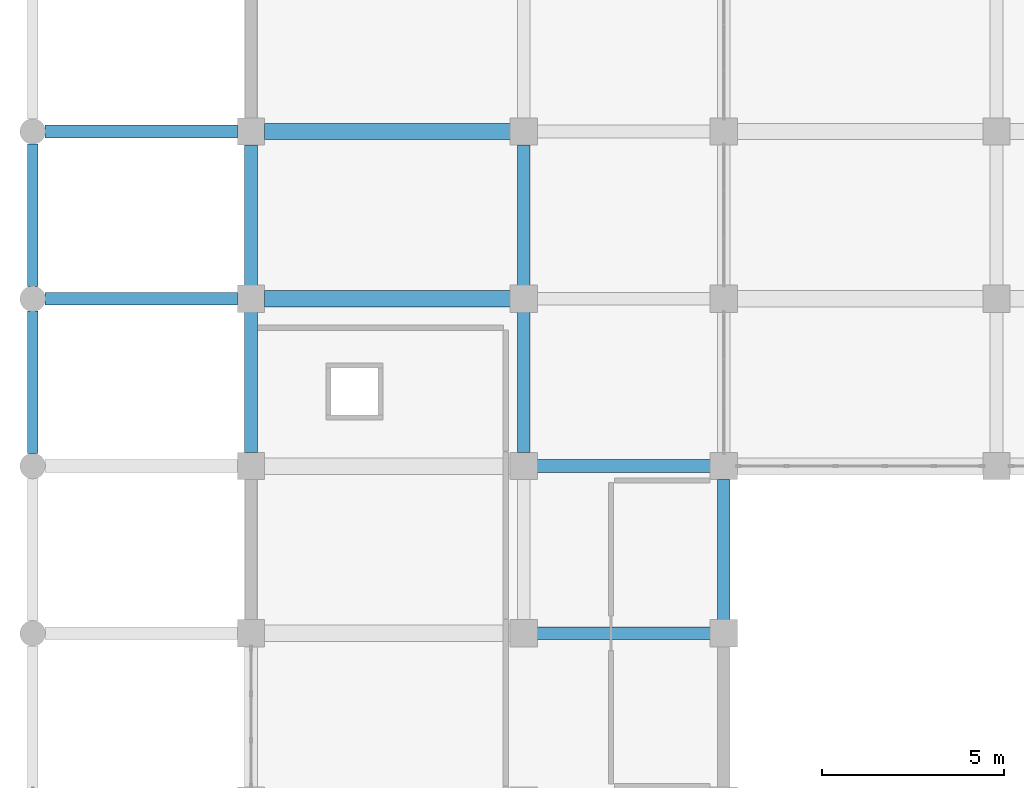
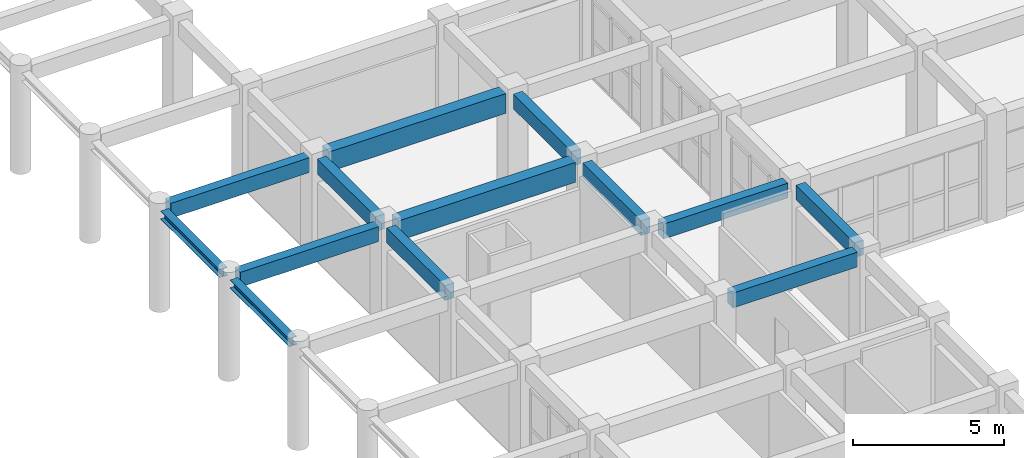
# One storey, part 23 of 116: 13 beams.
"""IFC4 building model written with IfcOpenShell, lengths in metres."""

import ifcopenshell
import ifcopenshell.guid

model = None  # the IFC model being written
_history = None  # IfcOwnerHistory: only IFC2X3 demands one
_inside = {}  # id of a spatial element -> (the spatial element, [elements in it])
_under = {}  # id of a project, library or spatial element -> (it, [spatial elements below it])
_declared = {}  # id of a project -> (the project, [libraries it declares])
_typed = {}  # id of a type object -> (the type object, [elements of that type])
_made_of = {}  # id of a material, layer set ... -> (it, [elements and type objects made of it])


def new_model(schema):
    """Start an empty IFC model of exactly this schema.

    Asked for "IFC4X3", IfcOpenShell would pick the latest addendum, in which some entities
    have other attributes; the version numbers below select the first issue.
    IFC2X3 requires an IfcOwnerHistory on every rooted entity: one is made here for all.
    """
    global model, _history
    if schema == "IFC4X3":
        model = ifcopenshell.file(schema_version=(4, 3, 0, 0))
    else:
        model = ifcopenshell.file(schema=schema)
    _inside.clear()
    _under.clear()
    _declared.clear()
    _typed.clear()
    _made_of.clear()
    _history = None
    if model.schema == "IFC2X3":
        org = make("IfcOrganization", Name="unknown")
        user = make(
            "IfcPersonAndOrganization",
            ThePerson=make("IfcPerson", FamilyName="unknown"),
            TheOrganization=org,
        )
        app = make(
            "IfcApplication",
            ApplicationDeveloper=org,
            Version="unknown",
            ApplicationFullName="unknown",
            ApplicationIdentifier="unknown",
        )
        _history = make(
            "IfcOwnerHistory",
            OwningUser=user,
            OwningApplication=app,
            ChangeAction="ADDED",
            CreationDate=0,
        )
    return model


def make(cls, **values):
    """One entity of the class cls with the attributes given. An attribute that is None is left unset."""
    return model.create_entity(
        cls, **{name: value for name, value in values.items() if value is not None}
    )


def rooted(cls, **values):
    """An entity with a GlobalId (a new one), such as an element, a storey or a relation."""
    return make(cls, GlobalId=ifcopenshell.guid.new(), OwnerHistory=_history, **values)


def si_unit(unit_type, name, prefix=None):
    """IfcSIUnit, for example si_unit("LENGTHUNIT", "METRE", prefix="MILLI")."""
    return make("IfcSIUnit", UnitType=unit_type, Prefix=prefix, Name=name)


def assignment(units):
    """IfcUnitAssignment: the units of a project."""
    return None if units is None else make("IfcUnitAssignment", Units=units)


def point(xyz):
    """IfcCartesianPoint."""
    return None if xyz is None else make("IfcCartesianPoint", Coordinates=xyz)


def direction(xyz):
    """IfcDirection."""
    return None if xyz is None else make("IfcDirection", DirectionRatios=xyz)


def frame(location, z_axis=None, x_axis=None):
    """IfcAxis2Placement3D, a coordinate frame: its origin and axes. An axis left out is left unset."""
    return make(
        "IfcAxis2Placement3D",
        Location=point(location),
        Axis=direction(z_axis),
        RefDirection=direction(x_axis),
    )


def frame_2d(location, x_axis=None):
    """IfcAxis2Placement2D, a coordinate frame in the plane: its origin and x axis."""
    return make(
        "IfcAxis2Placement2D", Location=point(location), RefDirection=direction(x_axis)
    )


def origin():
    """The frame at (0, 0, 0) with its axes left unset."""
    return frame((0.0, 0.0, 0.0))


def origin_2d():
    """The frame at (0, 0) in the plane with its x axis left unset."""
    return frame_2d((0.0, 0.0))


def place(relative_to, where):
    """IfcLocalPlacement: puts the frame where relative to a parent placement (None: the world)."""
    return make(
        "IfcLocalPlacement", PlacementRelTo=relative_to, RelativePlacement=where
    )


def context(
    kind, dimensions, precision=None, world=None, true_north=None, identifier=None
):
    """IfcGeometricRepresentationContext, for example the 3D "Model" context."""
    return make(
        "IfcGeometricRepresentationContext",
        ContextIdentifier=identifier,
        ContextType=kind,
        CoordinateSpaceDimension=dimensions,
        Precision=precision,
        WorldCoordinateSystem=world,
        TrueNorth=true_north,
    )


def subcontext(parent, identifier, kind, view, scale=None):
    """IfcGeometricRepresentationSubContext, for example "Body" below "Model"."""
    return make(
        "IfcGeometricRepresentationSubContext",
        ContextIdentifier=identifier,
        ContextType=kind,
        ParentContext=parent,
        TargetScale=scale,
        TargetView=view,
    )


def project(units=None, contexts=None):
    """IfcProject with its units and contexts."""
    return rooted(
        "IfcProject",
        Name="project",
        RepresentationContexts=contexts,
        UnitsInContext=assignment(units),
    )


def spatial(cls, under=None, at=None, **own):
    """A site, building, storey or space (cls), placed at a placement, below another one or the project."""
    s = rooted(cls, ObjectPlacement=at, **own)
    if under is not None:
        _under.setdefault(under.id(), (under, []))[1].append(s)
    return s


def profile(cls, at=None, kind="AREA", **sizes):
    """A parametric profile (cls). Its sizes go by their IFC names, for example OverallWidth=200.0."""
    return make(cls, ProfileType=kind, Position=at, **sizes)


def rectangle(**sizes):
    """IfcRectangleProfileDef."""
    return profile("IfcRectangleProfileDef", **sizes)


def i_section(**sizes):
    """IfcIShapeProfileDef."""
    return profile("IfcIShapeProfileDef", **sizes)


def extrude(swept, where, along, depth):
    """IfcExtrudedAreaSolid: the profile swept, set in the frame where, extruded along a direction by depth."""
    return make(
        "IfcExtrudedAreaSolid",
        SweptArea=swept,
        Position=where,
        ExtrudedDirection=direction(along),
        Depth=depth,
    )


def shape(context_of_items, identifier, shape_type, items):
    """IfcShapeRepresentation: the items that make up one representation, for example the "Body"."""
    return make(
        "IfcShapeRepresentation",
        ContextOfItems=context_of_items,
        RepresentationIdentifier=identifier,
        RepresentationType=shape_type,
        Items=items,
    )


def material(Name=None, Category=None):
    """IfcMaterial."""
    return make("IfcMaterial", Name=Name, Category=Category)


def material_profile(
    of_material, cross_section, Name=None, Category=None, Priority=None
):
    """IfcMaterialProfile: a cross section and its material."""
    return make(
        "IfcMaterialProfile",
        Name=Name,
        Material=of_material,
        Profile=cross_section,
        Priority=Priority,
        Category=Category,
    )


def profile_set(profiles, Name=None, composite=None):
    """IfcMaterialProfileSet."""
    return make(
        "IfcMaterialProfileSet",
        Name=Name,
        MaterialProfiles=profiles,
        CompositeProfile=composite,
    )


def made_of(thing, what):
    """Note that an element or type object is made of a material, layer set ...; save() writes the relation."""
    if what is not None:
        _made_of.setdefault(what.id(), (what, []))[1].append(thing)
    return thing


def type_object(cls, material=None, **own):
    """A type object (cls), such as IfcWallType, which elements share."""
    return made_of(rooted(cls, **own), material)


def element(
    cls,
    number,
    at=None,
    inside=None,
    cuts=None,
    type_object=None,
    material=None,
    context=None,
    identifier="Body",
    shape_type=None,
    held_by="IfcProductDefinitionShape",
    body=None,
    shapes=None,
    **own,
):
    """One element of the class cls, such as IfcWall. Its Tag is "e" and its number.

    at: its placement. inside: the storey or other place that contains it. cuts: it is an
    opening in that element (IfcRelVoidsElement). A single representation is given by context,
    identifier, shape_type and body (its items); several are given by shapes. held_by: the class
    of the entity that holds the representations. save() writes the other relations.
    """
    e = rooted(cls, Tag="e%d" % number, ObjectPlacement=at, **own)
    if body is not None:
        shapes = [shape(context, identifier, shape_type, body)]
    if shapes is not None:
        e.Representation = make(held_by, Representations=shapes)
    if inside is not None:
        _inside.setdefault(inside.id(), (inside, []))[1].append(e)
    if cuts is not None:
        rooted(
            "IfcRelVoidsElement", RelatingBuildingElement=cuts, RelatedOpeningElement=e
        )
    if type_object is not None:
        _typed.setdefault(type_object.id(), (type_object, []))[1].append(e)
    return made_of(e, material)


def aggregate(whole, parts):
    """IfcRelAggregates: a whole, such as a stair, and the parts it consists of."""
    return rooted("IfcRelAggregates", RelatingObject=whole, RelatedObjects=parts)


def save(model, path):
    """Write the relations noted so far, then the file.

    IfcRelAggregates (storeys below a building ...), IfcRelContainedInSpatialStructure (elements
    in a storey), IfcRelDefinesByType, IfcRelAssociatesMaterial and IfcRelDeclares: one each for
    every whole, place, type object, material and project.
    """
    for whole, parts in _under.values():
        aggregate(whole, parts)
    for where, things in _inside.values():
        rooted(
            "IfcRelContainedInSpatialStructure",
            RelatedElements=things,
            RelatingStructure=where,
        )
    for kind, things in _typed.values():
        rooted("IfcRelDefinesByType", RelatedObjects=things, RelatingType=kind)
    for what, things in _made_of.values():
        rooted("IfcRelAssociatesMaterial", RelatedObjects=things, RelatingMaterial=what)
    for by, libraries in _declared.values():
        rooted("IfcRelDeclares", RelatingContext=by, RelatedDefinitions=libraries)
    model.write(path)


model = new_model("IFC4")

# Units and contexts
model_context = context("Model", 3, precision=1e-05, world=origin(), true_north=direction((0.0, 1.0)))
body_context = subcontext(model_context, "Body", "Model", "MODEL_VIEW")
ifc_project = project(units=[si_unit("LENGTHUNIT", "METRE"), si_unit("AREAUNIT", "SQUARE_METRE"), si_unit("VOLUMEUNIT", "CUBIC_METRE"), si_unit("PLANEANGLEUNIT", "RADIAN"), si_unit("MASSUNIT", "GRAM", prefix="KILO")], contexts=[model_context])

# Site, building, storey
site_placement = place(None, origin())
site = spatial("IfcSite", under=ifc_project, at=site_placement, CompositionType="ELEMENT")
building_placement = place(site_placement, origin())
building = spatial("IfcBuilding", under=site, at=building_placement, Name="Muzn Square Opera House", CompositionType="ELEMENT")
storey_placement = place(building_placement, frame((0.0, 0.0, 5.39990234375)))
storey = spatial("IfcBuildingStorey", under=building, at=storey_placement, Name="L01", CompositionType="ELEMENT", Elevation=5.39990234375)

# Beams
ifc_material_1 = material(Name="Concrete C40/50", Category="concrete")
ifc_material_profile_1 = material_profile(ifc_material_1, rectangle(XDim=0.35009765625, YDim=0.60009765625, at=origin_2d()), Name="RCB 350x600", Category="concrete")
ifc_profile_set_1 = profile_set([ifc_material_profile_1], Name="Concrete C40/50")
beam_type_1 = type_object("IfcBeamType", Name="Primary Girder 350x600", PredefinedType="BEAM", material=ifc_profile_set_1)
for number, where, z_axis, x_axis, name in (
    (1, (13.866943359375, 49.60009765625, 3.85009765625), (1.0, 0.0, 0.0), (0.0, 1.0, 0.0), "Primary Girder BM-L01-BM-PG600-139_496_186_496-1364"),
    (2, (13.866943359375, 54.199951171875, 3.85009765625), (1.0, 0.0, 0.0), (0.0, 1.0, 0.0), "Primary Girder BM-L01-BM-PG600-139_542_186_542-1370"),
):
    element("IfcBeam", number, at=place(storey_placement, frame(where, z_axis=z_axis, x_axis=x_axis)), inside=storey, type_object=beam_type_1, Name=name, PredefinedType="BEAM", context=body_context, shape_type="SweptSolid", body=[
        extrude(rectangle(XDim=0.35009765625, YDim=0.60009765625, at=origin_2d()), origin(), (0.0, 0.0, 1.0), 4.76611328125),
    ])
for number, where, z_axis, x_axis, name in (
    (3, (0.342041015625, 58.800048828125, 3.85009765625), (1.0, 0.0, 0.0), (0.0, 1.0, 0.0), "Primary Girder BM-L01-BM-PG600-3_588_56_588-1380"),
    (4, (0.342041015625, 63.39990234375, 3.85009765625), (1.0, 0.0, 0.0), (0.0, 1.0, 0.0), "Primary Girder BM-L01-BM-PG600-3_634_56_634-1394"),
):
    element("IfcBeam", number, at=place(storey_placement, frame(where, z_axis=z_axis, x_axis=x_axis)), inside=storey, type_object=beam_type_1, Name=name, PredefinedType="BEAM", context=body_context, shape_type="SweptSolid", body=[
        extrude(rectangle(XDim=0.35009765625, YDim=0.60009765625, at=origin_2d()), origin(), (0.0, 0.0, 1.0), 5.291015625),
    ])
beam_1_placement = place(storey_placement, frame((6.0, 54.56689453125, 3.85009765625), z_axis=(0.0, 1.0, 0.0), x_axis=(-1.0, 0.0, 0.0)))
element("IfcBeam", 5, at=beam_1_placement, inside=storey, type_object=beam_type_1, Name="Primary Girder BM-L01-BM-PG600-60_546_60_584-1535", PredefinedType="BEAM", context=body_context, shape_type="SweptSolid", body=[
    extrude(rectangle(XDim=0.35009765625, YDim=0.60009765625, at=origin_2d()), origin(), (0.0, 0.0, 1.0), 3.8662109375),
])
beam_2_placement = place(storey_placement, frame((6.0, 59.1669921875, 3.85009765625), z_axis=(0.0, 1.0, 0.0), x_axis=(-1.0, 0.0, 0.0)))
element("IfcBeam", 6, at=beam_2_placement, inside=storey, type_object=beam_type_1, Name="Primary Girder BM-L01-BM-PG600-60_592_60_630-1536", PredefinedType="BEAM", context=body_context, shape_type="SweptSolid", body=[
    extrude(rectangle(XDim=0.35009765625, YDim=0.60009765625, at=origin_2d()), origin(), (0.0, 0.0, 1.0), 3.865966796875),
])
beam_3_placement = place(storey_placement, frame((13.5, 54.56689453125, 3.85009765625), z_axis=(0.0, 1.0, 0.0), x_axis=(-1.0, 0.0, 0.0)))
element("IfcBeam", 7, at=beam_3_placement, inside=storey, type_object=beam_type_1, Name="Primary Girder BM-L01-BM-PG600-135_546_135_584-1550", PredefinedType="BEAM", context=body_context, shape_type="SweptSolid", body=[
    extrude(rectangle(XDim=0.35009765625, YDim=0.60009765625, at=origin_2d()), origin(), (0.0, 0.0, 1.0), 3.8662109375),
])
for number, where, z_axis, x_axis, name in (
    (8, (13.5, 59.1669921875, 3.85009765625), (0.0, 1.0, 0.0), (-1.0, 0.0, 0.0), "Primary Girder BM-L01-BM-PG600-135_592_135_630-1551"),
    (9, (19.0, 49.967041015625, 3.820068359375), (0.0, 1.0, 0.0), (-1.0, 0.0, 0.0), "Primary Girder BM-L01-BM-PG600-190_500_190_538-1562"),
):
    element("IfcBeam", number, at=place(storey_placement, frame(where, z_axis=z_axis, x_axis=x_axis)), inside=storey, type_object=beam_type_1, Name=name, PredefinedType="BEAM", context=body_context, shape_type="SweptSolid", body=[
        extrude(rectangle(XDim=0.35009765625, YDim=0.60009765625, at=origin_2d()), origin(), (0.0, 0.0, 1.0), 3.865966796875),
    ])
ifc_material_profile_2 = material_profile(ifc_material_1, rectangle(XDim=0.449951171875, YDim=0.800048828125, at=origin_2d()), Name="RCB 450x800", Category="concrete")
ifc_profile_set_2 = profile_set([ifc_material_profile_2], Name="Concrete C40/50")
beam_type_2 = type_object("IfcBeamType", Name="Primary Girder 450x800", PredefinedType="BEAM", material=ifc_profile_set_2)
for number, where, z_axis, x_axis, name in (
    (10, (6.366943359375, 58.800048828125, 3.75), (1.0, 0.0, 0.0), (0.0, 1.0, 0.0), "Primary Girder BM-L01-BM-PG800-64_588_131_588-1381"),
    (11, (6.366943359375, 63.39990234375, 3.75), (1.0, 0.0, 0.0), (0.0, 1.0, 0.0), "Primary Girder BM-L01-BM-PG800-64_634_131_634-1395"),
):
    element("IfcBeam", number, at=place(storey_placement, frame(where, z_axis=z_axis, x_axis=x_axis)), inside=storey, type_object=beam_type_2, Name=name, PredefinedType="BEAM", context=body_context, shape_type="SweptSolid", body=[
        extrude(rectangle(XDim=0.449951171875, YDim=0.800048828125, at=origin_2d()), origin(), (0.0, 0.0, 1.0), 6.76611328125),
    ])
ifc_material_2 = material(Name="Steel S355", Category="steel")
ifc_material_profile_3 = material_profile(ifc_material_2, i_section(OverallWidth=0.300048828125, OverallDepth=0.330078125, WebThickness=0.009521484375, FlangeThickness=0.0166015625, FilletRadius=0.027099609375, at=origin_2d()), Name="HEA 340", Category="steel")
ifc_profile_set_3 = profile_set([ifc_material_profile_3], Name="Steel S355")
beam_type_3 = type_object("IfcBeamType", Name="Steel Spandrel Beam HEA340", PredefinedType="SPANDREL", material=ifc_profile_set_3)
for number, where, z_axis, x_axis, name in (
    (12, (0.0, 54.5419921875, 3.955078125), (0.0, 1.0, 0.0), (-1.0, 0.0, 0.0), "Spandrel Beam BM-L01-BM-SSP340-0_545_0_585-1518"),
    (13, (0.0, 59.14208984375, 3.955078125), (0.0, 1.0, 0.0), (-1.0, 0.0, 0.0), "Spandrel Beam BM-L01-BM-SSP340-0_591_0_631-1519"),
):
    element("IfcBeam", number, at=place(storey_placement, frame(where, z_axis=z_axis, x_axis=x_axis)), inside=storey, type_object=beam_type_3, Name=name, PredefinedType="SPANDREL", context=body_context, shape_type="SweptSolid", body=[
        extrude(i_section(OverallWidth=0.300048828125, OverallDepth=0.330078125, WebThickness=0.009521484375, FlangeThickness=0.0166015625, FilletRadius=0.027099609375, at=origin_2d()), origin(), (0.0, 0.0, 1.0), 3.916015625),
    ])

save(model, "model.ifc")
